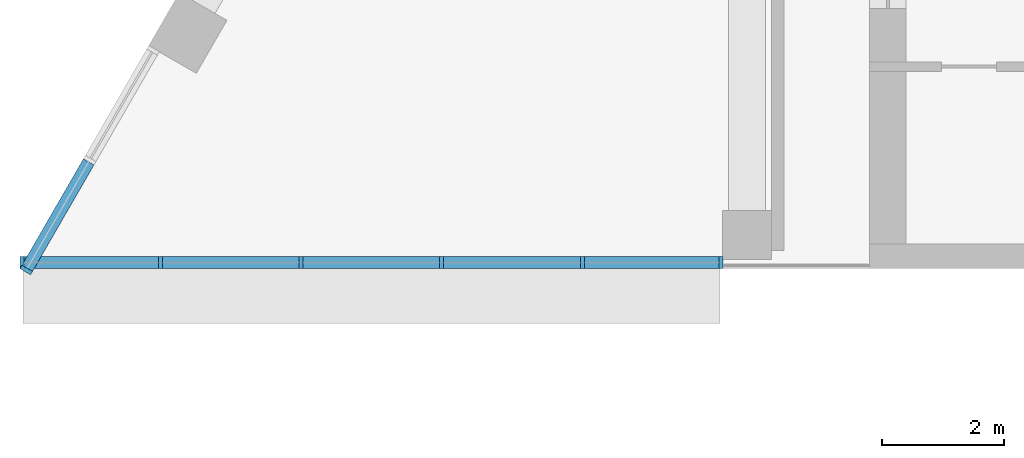
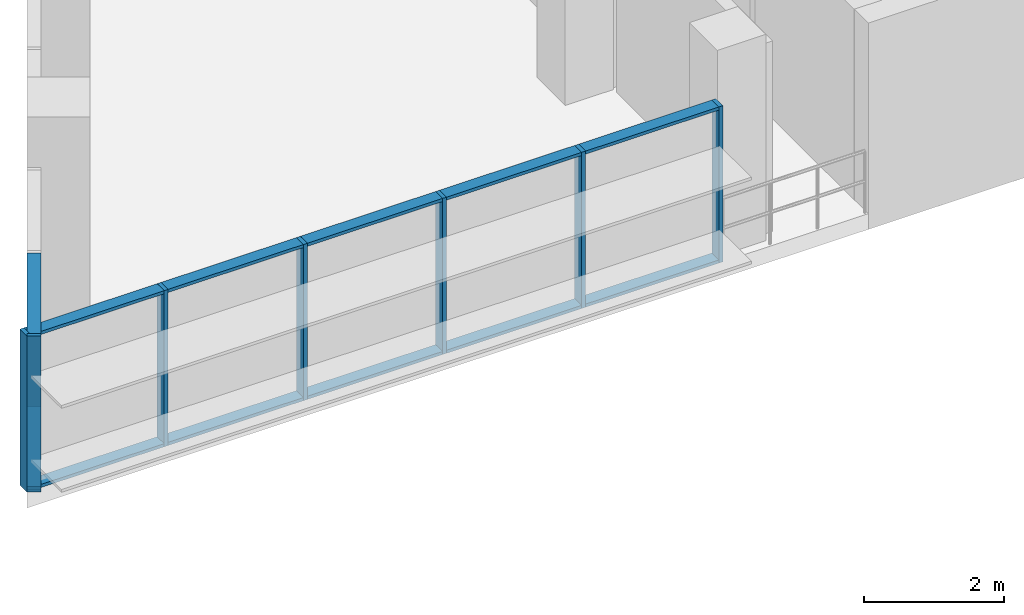
# One storey, part 3 of 14: 19 members, 2 elements without a shape of their own.
"""IFC4 building model written with IfcOpenShell, lengths in metres."""

from ifc_helpers import new_model, si_unit, direction, frame, origin, origin_2d, place, context, subcontext, project, spatial, rectangle, extrude, material, layer, layer_set, material_profile, profile_set, type_object, element, aggregate, save


model = new_model("IFC4")

# Units and contexts
model_context = context("Model", 3, precision=1e-05, world=origin(), true_north=direction((0.0, 1.0)))
body_context = subcontext(model_context, "Body", "Model", "MODEL_VIEW")
ifc_project = project(units=[si_unit("LENGTHUNIT", "METRE"), si_unit("AREAUNIT", "SQUARE_METRE"), si_unit("VOLUMEUNIT", "CUBIC_METRE"), si_unit("PLANEANGLEUNIT", "RADIAN"), si_unit("MASSUNIT", "GRAM", prefix="KILO")], contexts=[model_context])

# Site, building, storey
site_placement = place(None, origin())
site = spatial("IfcSite", under=ifc_project, at=site_placement, CompositionType="ELEMENT")
building_placement = place(site_placement, origin())
building = spatial("IfcBuilding", under=site, at=building_placement, Name="Nakaniwa Court", CompositionType="ELEMENT")
storey_placement = place(building_placement, frame((0.0, 0.0, 279.60009765625)))
storey = spatial("IfcBuildingStorey", under=building, at=storey_placement, Name="C03", CompositionType="ELEMENT", Elevation=279.60009765625)

# Curtain wall, member
ifc_material_1 = material(Name="Black anodised aluminium frame with dark low-E laminated double glazing", Category="aluminium")
ifc_layer = layer(ifc_material_1, 0.199951171875)
ifc_layer_set = layer_set([ifc_layer], Name="Black anodised aluminium frame with dark low-E laminated double glazing")
curtain_wall_type = type_object("IfcCurtainWallType", Name="Crown curtain wall", PredefinedType="NOTDEFINED", material=ifc_layer_set)
curtain_wall_1_placement = place(storey_placement, origin())
curtain_wall_1 = element("IfcCurtainWall", 1, at=curtain_wall_1_placement, inside=storey, type_object=curtain_wall_type, Name="C03 curtain wall CW4 15", PredefinedType="NOTDEFINED")
ifc_material_2 = material(Name="Black anodised aluminium extrusion", Category="aluminium")
ifc_material_profile_1 = material_profile(ifc_material_2, rectangle(XDim=0.199951171875, YDim=0.06494140625, at=origin_2d()), Name="Crown curtain wall mullion 65x200")
ifc_profile_set_1 = profile_set([ifc_material_profile_1], Name="Black anodised aluminium extrusion")
member_type_1 = type_object("IfcMemberType", Name="Crown curtain wall mullion 65x200", PredefinedType="MULLION", material=ifc_profile_set_1)
member_1_placement = place(storey_placement, frame((58.22119140625, 87.378173828125, 0.0), z_axis=(0.0, 0.0, 1.0), x_axis=(0.866021000852, -0.500007626024, 0.0)))
member_1 = element("IfcMember", 2, at=member_1_placement, type_object=member_type_1, Name="CW4 mullion 3", PredefinedType="MULLION", context=body_context, shape_type="SweptSolid", body=[
    extrude(rectangle(XDim=0.199951171875, YDim=0.06494140625, at=origin_2d()), origin(), (0.0, 0.0, 1.0), 2.724853515625),
])

# Curtain wall, members
curtain_wall_2_placement = place(storey_placement, origin())
curtain_wall_2 = element("IfcCurtainWall", 3, at=curtain_wall_2_placement, inside=storey, type_object=curtain_wall_type, Name="C03 curtain wall CW4 16", PredefinedType="NOTDEFINED")
member_2_placement = place(storey_placement, frame((58.15087890625, 87.5, 0.0), z_axis=(0.0, 0.0, 1.0), x_axis=(0.0, 1.0, 0.0)))
member_2 = element("IfcMember", 4, at=member_2_placement, type_object=member_type_1, Name="CW4 mullion 1", PredefinedType="MULLION", context=body_context, shape_type="SweptSolid", body=[
    extrude(rectangle(XDim=0.199951171875, YDim=0.06494140625, at=origin_2d()), origin(), (0.0, 0.0, 1.0), 2.724853515625),
])
member_3_placement = place(storey_placement, frame((60.41552734375, 87.5, 0.0), z_axis=(0.0, 0.0, 1.0), x_axis=(0.0, 1.0, 0.0)))
member_3 = element("IfcMember", 5, at=member_3_placement, type_object=member_type_1, Name="CW4 mullion 2", PredefinedType="MULLION", context=body_context, shape_type="SweptSolid", body=[
    extrude(rectangle(XDim=0.199951171875, YDim=0.06494140625, at=origin_2d()), origin(), (0.0, 0.0, 1.0), 2.724853515625),
])
member_4_placement = place(storey_placement, frame((62.712646484375, 87.5, 0.0), z_axis=(0.0, 0.0, 1.0), x_axis=(0.0, 1.0, 0.0)))
member_4 = element("IfcMember", 6, at=member_4_placement, type_object=member_type_1, Name="CW4 mullion 3", PredefinedType="MULLION", context=body_context, shape_type="SweptSolid", body=[
    extrude(rectangle(XDim=0.199951171875, YDim=0.06494140625, at=origin_2d()), origin(), (0.0, 0.0, 1.0), 2.724853515625),
])
member_5_placement = place(storey_placement, frame((65.009765625, 87.5, 0.0), z_axis=(0.0, 0.0, 1.0), x_axis=(0.0, 1.0, 0.0)))
member_5 = element("IfcMember", 7, at=member_5_placement, type_object=member_type_1, Name="CW4 mullion 4", PredefinedType="MULLION", context=body_context, shape_type="SweptSolid", body=[
    extrude(rectangle(XDim=0.199951171875, YDim=0.06494140625, at=origin_2d()), origin(), (0.0, 0.0, 1.0), 2.724853515625),
])
member_6_placement = place(storey_placement, frame((67.306884765625, 87.5, 0.0), z_axis=(0.0, 0.0, 1.0), x_axis=(0.0, 1.0, 0.0)))
member_6 = element("IfcMember", 8, at=member_6_placement, type_object=member_type_1, Name="CW4 mullion 5", PredefinedType="MULLION", context=body_context, shape_type="SweptSolid", body=[
    extrude(rectangle(XDim=0.199951171875, YDim=0.06494140625, at=origin_2d()), origin(), (0.0, 0.0, 1.0), 2.724853515625),
])
member_7_placement = place(storey_placement, frame((69.571533203125, 87.5, 0.0), z_axis=(0.0, 0.0, 1.0), x_axis=(0.0, 1.0, 0.0)))
member_7 = element("IfcMember", 9, at=member_7_placement, type_object=member_type_1, Name="CW4 mullion 6", PredefinedType="MULLION", context=body_context, shape_type="SweptSolid", body=[
    extrude(rectangle(XDim=0.199951171875, YDim=0.06494140625, at=origin_2d()), origin(), (0.0, 0.0, 1.0), 2.724853515625),
])

# Member
ifc_material_profile_2 = material_profile(ifc_material_2, rectangle(XDim=0.199951171875, YDim=0.054931640625, at=origin_2d()), Name="Crown curtain wall transom 55x200")
ifc_profile_set_2 = profile_set([ifc_material_profile_2], Name="Black anodised aluminium extrusion")
member_type_2 = type_object("IfcMemberType", Name="Crown curtain wall transom 55x200", PredefinedType="USERDEFINED", material=ifc_profile_set_2)
member_8_placement = place(storey_placement, frame((59.240966796875, 89.14453125, 0.02734375), z_axis=(-0.499933044277, -0.866064057238, 0.0), x_axis=(0.866064057238, -0.499933044277, 0.0)))
member_8 = element("IfcMember", 10, at=member_8_placement, type_object=member_type_2, Name="CW4 transom 2.1", ObjectType="TRANSOM", PredefinedType="USERDEFINED", context=body_context, shape_type="SweptSolid", body=[
    extrude(rectangle(XDim=0.199951171875, YDim=0.054931640625, at=origin_2d()), origin(), (0.0, 0.0, 1.0), 2.007080078125),
])

member_9_placement = place(storey_placement, frame((59.240966796875, 89.14453125, 2.697509765625), z_axis=(-0.499933044277, -0.866064057238, 0.0), x_axis=(0.866064057238, -0.499933044277, 0.0)))
member_9 = element("IfcMember", 11, at=member_9_placement, type_object=member_type_2, Name="CW4 transom 2.2", ObjectType="TRANSOM", PredefinedType="USERDEFINED", context=body_context, shape_type="SweptSolid", body=[
    extrude(rectangle(XDim=0.199951171875, YDim=0.054931640625, at=origin_2d()), origin(), (0.0, 0.0, 1.0), 2.007080078125),
])

aggregate(curtain_wall_1, [member_1, member_8, member_9])

member_10_placement = place(storey_placement, frame((58.183349609375, 87.5, 0.02734375), z_axis=(1.0, 0.0, 0.0), x_axis=(0.0, 1.0, 0.0)))
member_10 = element("IfcMember", 12, at=member_10_placement, type_object=member_type_2, Name="CW4 transom 1.1", ObjectType="TRANSOM", PredefinedType="USERDEFINED", context=body_context, shape_type="SweptSolid", body=[
    extrude(rectangle(XDim=0.199951171875, YDim=0.054931640625, at=origin_2d()), origin(), (0.0, 0.0, 1.0), 2.19970703125),
])

member_11_placement = place(storey_placement, frame((58.183349609375, 87.5, 2.697509765625), z_axis=(1.0, 0.0, 0.0), x_axis=(0.0, 1.0, 0.0)))
member_11 = element("IfcMember", 13, at=member_11_placement, type_object=member_type_2, Name="CW4 transom 1.2", ObjectType="TRANSOM", PredefinedType="USERDEFINED", context=body_context, shape_type="SweptSolid", body=[
    extrude(rectangle(XDim=0.199951171875, YDim=0.054931640625, at=origin_2d()), origin(), (0.0, 0.0, 1.0), 2.19970703125),
])

member_12_placement = place(storey_placement, frame((60.447998046875, 87.5, 0.02734375), z_axis=(1.0, 0.0, 0.0), x_axis=(0.0, 1.0, 0.0)))
member_12 = element("IfcMember", 14, at=member_12_placement, type_object=member_type_2, Name="CW4 transom 2.1", ObjectType="TRANSOM", PredefinedType="USERDEFINED", context=body_context, shape_type="SweptSolid", body=[
    extrude(rectangle(XDim=0.199951171875, YDim=0.054931640625, at=origin_2d()), origin(), (0.0, 0.0, 1.0), 2.232177734375),
])

member_13_placement = place(storey_placement, frame((60.447998046875, 87.5, 2.697509765625), z_axis=(1.0, 0.0, 0.0), x_axis=(0.0, 1.0, 0.0)))
member_13 = element("IfcMember", 15, at=member_13_placement, type_object=member_type_2, Name="CW4 transom 2.2", ObjectType="TRANSOM", PredefinedType="USERDEFINED", context=body_context, shape_type="SweptSolid", body=[
    extrude(rectangle(XDim=0.199951171875, YDim=0.054931640625, at=origin_2d()), origin(), (0.0, 0.0, 1.0), 2.232177734375),
])

member_14_placement = place(storey_placement, frame((62.7451171875, 87.5, 0.02734375), z_axis=(1.0, 0.0, 0.0), x_axis=(0.0, 1.0, 0.0)))
member_14 = element("IfcMember", 16, at=member_14_placement, type_object=member_type_2, Name="CW4 transom 3.1", ObjectType="TRANSOM", PredefinedType="USERDEFINED", context=body_context, shape_type="SweptSolid", body=[
    extrude(rectangle(XDim=0.199951171875, YDim=0.054931640625, at=origin_2d()), origin(), (0.0, 0.0, 1.0), 2.232177734375),
])

member_15_placement = place(storey_placement, frame((62.7451171875, 87.5, 2.697509765625), z_axis=(1.0, 0.0, 0.0), x_axis=(0.0, 1.0, 0.0)))
member_15 = element("IfcMember", 17, at=member_15_placement, type_object=member_type_2, Name="CW4 transom 3.2", ObjectType="TRANSOM", PredefinedType="USERDEFINED", context=body_context, shape_type="SweptSolid", body=[
    extrude(rectangle(XDim=0.199951171875, YDim=0.054931640625, at=origin_2d()), origin(), (0.0, 0.0, 1.0), 2.232177734375),
])

member_16_placement = place(storey_placement, frame((65.042236328125, 87.5, 0.02734375), z_axis=(1.0, 0.0, 0.0), x_axis=(0.0, 1.0, 0.0)))
member_16 = element("IfcMember", 18, at=member_16_placement, type_object=member_type_2, Name="CW4 transom 4.1", ObjectType="TRANSOM", PredefinedType="USERDEFINED", context=body_context, shape_type="SweptSolid", body=[
    extrude(rectangle(XDim=0.199951171875, YDim=0.054931640625, at=origin_2d()), origin(), (0.0, 0.0, 1.0), 2.232177734375),
])

member_17_placement = place(storey_placement, frame((65.042236328125, 87.5, 2.697509765625), z_axis=(1.0, 0.0, 0.0), x_axis=(0.0, 1.0, 0.0)))
member_17 = element("IfcMember", 19, at=member_17_placement, type_object=member_type_2, Name="CW4 transom 4.2", ObjectType="TRANSOM", PredefinedType="USERDEFINED", context=body_context, shape_type="SweptSolid", body=[
    extrude(rectangle(XDim=0.199951171875, YDim=0.054931640625, at=origin_2d()), origin(), (0.0, 0.0, 1.0), 2.232177734375),
])

member_18_placement = place(storey_placement, frame((67.33935546875, 87.5, 0.02734375), z_axis=(1.0, 0.0, 0.0), x_axis=(0.0, 1.0, 0.0)))
member_18 = element("IfcMember", 20, at=member_18_placement, type_object=member_type_2, Name="CW4 transom 5.1", ObjectType="TRANSOM", PredefinedType="USERDEFINED", context=body_context, shape_type="SweptSolid", body=[
    extrude(rectangle(XDim=0.199951171875, YDim=0.054931640625, at=origin_2d()), origin(), (0.0, 0.0, 1.0), 2.19970703125),
])

member_19_placement = place(storey_placement, frame((67.33935546875, 87.5, 2.697509765625), z_axis=(1.0, 0.0, 0.0), x_axis=(0.0, 1.0, 0.0)))
member_19 = element("IfcMember", 21, at=member_19_placement, type_object=member_type_2, Name="CW4 transom 5.2", ObjectType="TRANSOM", PredefinedType="USERDEFINED", context=body_context, shape_type="SweptSolid", body=[
    extrude(rectangle(XDim=0.199951171875, YDim=0.054931640625, at=origin_2d()), origin(), (0.0, 0.0, 1.0), 2.19970703125),
])

aggregate(curtain_wall_2, [member_2, member_3, member_4, member_5, member_6, member_7, member_10, member_11, member_12, member_13, member_14, member_15, member_16, member_17, member_18, member_19])

save(model, "model.ifc")
